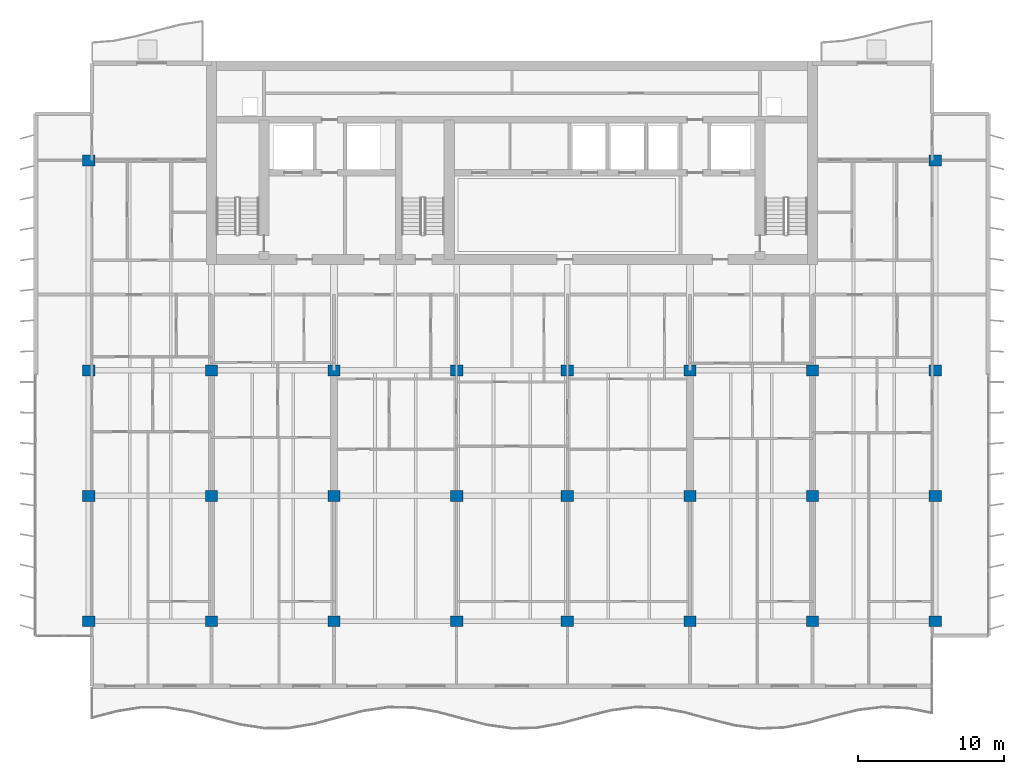
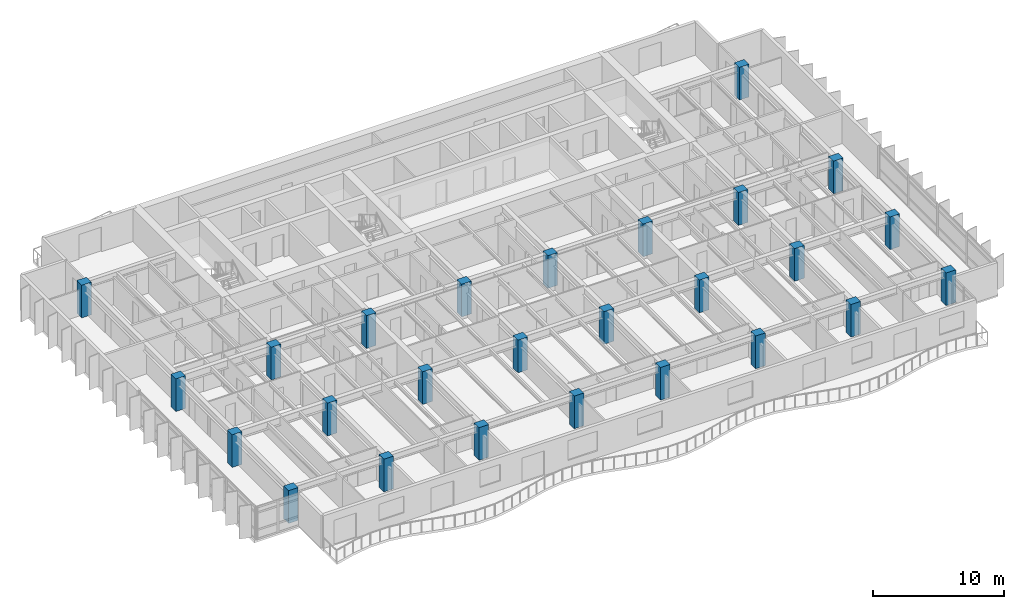
# One storey, part 1 of 18: 26 columns.
"""IFC4 building model written with IfcOpenShell, lengths in metres."""

from ifc_helpers import new_model, si_unit, direction, frame, origin, origin_2d, place, context, subcontext, project, spatial, rectangle, extrude, material, material_profile, profile_set, type_object, element, save


model = new_model("IFC4")

# Units and contexts
model_context = context("Model", 3, precision=1e-05, world=origin(), true_north=direction((0.0, 1.0)))
body_context = subcontext(model_context, "Body", "Model", "MODEL_VIEW")
ifc_project = project(units=[si_unit("LENGTHUNIT", "METRE"), si_unit("AREAUNIT", "SQUARE_METRE"), si_unit("VOLUMEUNIT", "CUBIC_METRE"), si_unit("PLANEANGLEUNIT", "RADIAN"), si_unit("MASSUNIT", "GRAM", prefix="KILO")], contexts=[model_context])

# Site, building, storey
site_placement = place(None, origin())
site = spatial("IfcSite", under=ifc_project, at=site_placement, CompositionType="ELEMENT")
building_placement = place(site_placement, origin())
building = spatial("IfcBuilding", under=site, at=building_placement, Name="Caelmar Bay Residences", CompositionType="ELEMENT")
storey_placement = place(building_placement, frame((0.0, 0.0, 173.699951171875)))
storey = spatial("IfcBuildingStorey", under=building, at=storey_placement, Name="L48", CompositionType="ELEMENT", Elevation=173.699951171875)

# Columns
ifc_material = material(Name="Concrete f'c 55 MPa (8,000 psi)", Category="concrete")
ifc_material_profile = material_profile(ifc_material, rectangle(XDim=0.85009765625, YDim=0.75, at=origin_2d()), Name="RC-COL-850X750")
ifc_profile_set = profile_set([ifc_material_profile], Name="Concrete f'c 55 MPa (8,000 psi)")
column_type = type_object("IfcColumnType", Name="COL-RC-850X750", PredefinedType="COLUMN", material=ifc_profile_set)
for number, where, z_axis, x_axis, name in (
    (1, (9.89990234375, 12.199951171875, 0.0), (0.0, 0.0, 1.0), (1.0, 0.0, 0.0), "L48 Column (9.90,12.20)"),
    (2, (18.300048828125, 12.199951171875, 0.0), (0.0, 0.0, 1.0), (1.0, 0.0, 0.0), "L48 Column (18.30,12.20)"),
    (3, (26.699951171875, 12.199951171875, 0.0), (0.0, 0.0, 1.0), (1.0, 0.0, 0.0), "L48 Column (26.70,12.20)"),
    (4, (35.10009765625, 12.199951171875, 0.0), (0.0, 0.0, 1.0), (1.0, 0.0, 0.0), "L48 Column (35.10,12.20)"),
    (5, (42.699951171875, 12.199951171875, 0.0), (0.0, 0.0, 1.0), (1.0, 0.0, 0.0), "L48 Column (42.70,12.20)"),
    (6, (51.10009765625, 12.199951171875, 0.0), (0.0, 0.0, 1.0), (1.0, 0.0, 0.0), "L48 Column (51.10,12.20)"),
    (7, (59.5, 12.199951171875, 0.0), (0.0, 0.0, 1.0), (1.0, 0.0, 0.0), "L48 Column (59.50,12.20)"),
    (8, (67.89990234375, 12.199951171875, 0.0), (0.0, 0.0, 1.0), (1.0, 0.0, 0.0), "L48 Column (67.90,12.20)"),
    (9, (9.89990234375, 20.800048828125, 0.0), (0.0, 0.0, 1.0), (1.0, 0.0, 0.0), "L48 Column (9.90,20.80)"),
    (10, (18.300048828125, 20.800048828125, 0.0), (0.0, 0.0, 1.0), (1.0, 0.0, 0.0), "L48 Column (18.30,20.80)"),
    (11, (26.699951171875, 20.800048828125, 0.0), (0.0, 0.0, 1.0), (1.0, 0.0, 0.0), "L48 Column (26.70,20.80)"),
    (12, (35.10009765625, 20.800048828125, 0.0), (0.0, 0.0, 1.0), (1.0, 0.0, 0.0), "L48 Column (35.10,20.80)"),
    (13, (42.699951171875, 20.800048828125, 0.0), (0.0, 0.0, 1.0), (1.0, 0.0, 0.0), "L48 Column (42.70,20.80)"),
    (14, (51.10009765625, 20.800048828125, 0.0), (0.0, 0.0, 1.0), (1.0, 0.0, 0.0), "L48 Column (51.10,20.80)"),
    (15, (59.5, 20.800048828125, 0.0), (0.0, 0.0, 1.0), (1.0, 0.0, 0.0), "L48 Column (59.50,20.80)"),
    (16, (67.89990234375, 20.800048828125, 0.0), (0.0, 0.0, 1.0), (1.0, 0.0, 0.0), "L48 Column (67.90,20.80)"),
    (17, (9.89990234375, 29.39990234375, 0.0), (0.0, 0.0, 1.0), (1.0, 0.0, 0.0), "L48 Column (9.90,29.40)"),
    (18, (18.300048828125, 29.39990234375, 0.0), (0.0, 0.0, 1.0), (1.0, 0.0, 0.0), "L48 Column (18.30,29.40)"),
    (19, (26.699951171875, 29.39990234375, 0.0), (0.0, 0.0, 1.0), (1.0, 0.0, 0.0), "L48 Column (26.70,29.40)"),
    (20, (35.10009765625, 29.39990234375, 0.0), (0.0, 0.0, 1.0), (1.0, 0.0, 0.0), "L48 Column (35.10,29.40)"),
    (21, (42.699951171875, 29.39990234375, 0.0), (0.0, 0.0, 1.0), (1.0, 0.0, 0.0), "L48 Column (42.70,29.40)"),
    (22, (51.10009765625, 29.39990234375, 0.0), (0.0, 0.0, 1.0), (1.0, 0.0, 0.0), "L48 Column (51.10,29.40)"),
    (23, (59.5, 29.39990234375, 0.0), (0.0, 0.0, 1.0), (1.0, 0.0, 0.0), "L48 Column (59.50,29.40)"),
    (24, (67.89990234375, 29.39990234375, 0.0), (0.0, 0.0, 1.0), (1.0, 0.0, 0.0), "L48 Column (67.90,29.40)"),
    (25, (9.89990234375, 43.800048828125, 0.0), (0.0, 0.0, 1.0), (1.0, 0.0, 0.0), "L48 Column (9.90,43.80)"),
    (26, (67.89990234375, 43.800048828125, 0.0), (0.0, 0.0, 1.0), (1.0, 0.0, 0.0), "L48 Column (67.90,43.80)"),
):
    element("IfcColumn", number, at=place(storey_placement, frame(where, z_axis=z_axis, x_axis=x_axis)), inside=storey, type_object=column_type, Name=name, PredefinedType="COLUMN", context=body_context, shape_type="SweptSolid", body=[
        extrude(rectangle(XDim=0.85009765625, YDim=0.75, at=origin_2d()), origin(), (0.0, 0.0, 1.0), 3.050048828125),
    ])

save(model, "model.ifc")
